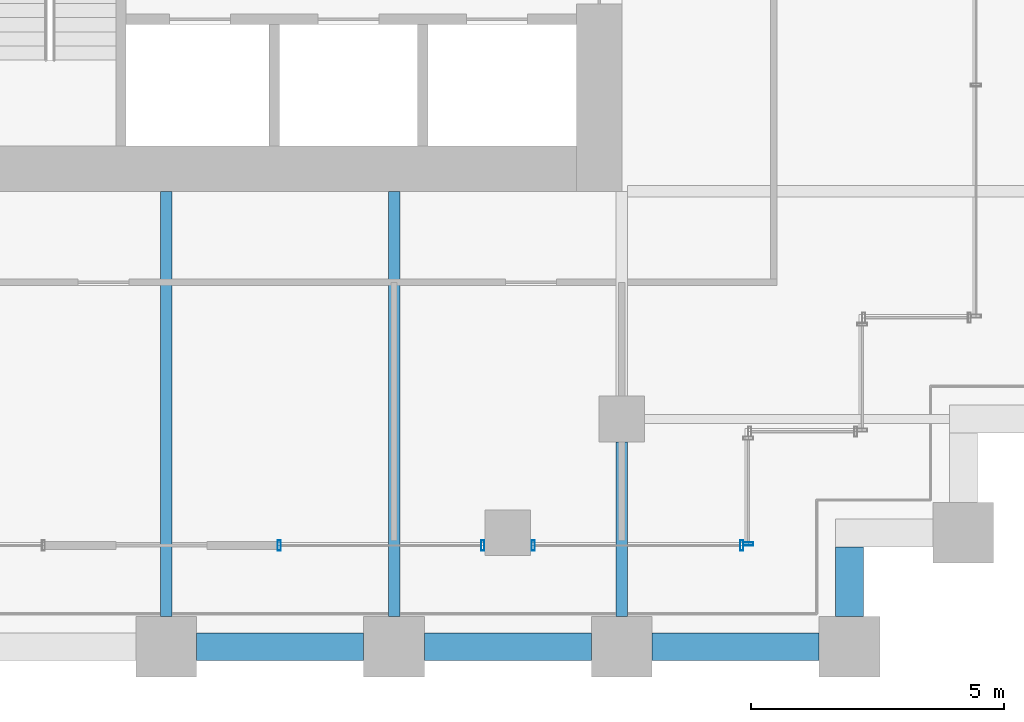
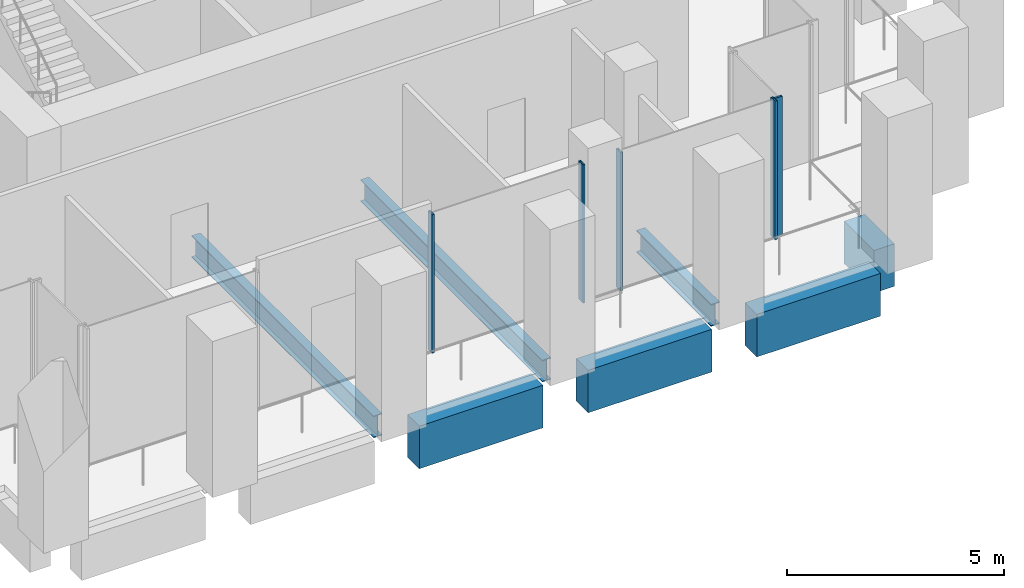
# One storey, part 21 of 36: 7 beams, 5 members, 3 elements without a shape of their own.
"""IFC4 building model written with IfcOpenShell, lengths in metres."""

from ifc_helpers import new_model, si_unit, direction, frame, origin, origin_2d, place, context, subcontext, project, spatial, rectangle, hollow_rectangle, i_section, extrude, material, material_profile, profile_set, type_object, element, aggregate, save


model = new_model("IFC4")

# Units and contexts
model_context = context("Model", 3, precision=1e-05, world=origin(), true_north=direction((0.0, 1.0)))
body_context = subcontext(model_context, "Body", "Model", "MODEL_VIEW")
ifc_project = project(units=[si_unit("LENGTHUNIT", "METRE"), si_unit("AREAUNIT", "SQUARE_METRE"), si_unit("VOLUMEUNIT", "CUBIC_METRE"), si_unit("PLANEANGLEUNIT", "RADIAN"), si_unit("MASSUNIT", "GRAM", prefix="KILO")], contexts=[model_context])

# Site, building, storey
site_placement = place(None, origin())
site = spatial("IfcSite", under=ifc_project, at=site_placement, CompositionType="ELEMENT")
building_placement = place(site_placement, origin())
building = spatial("IfcBuilding", under=site, at=building_placement, Name="Altepetl Exchange Towers", CompositionType="ELEMENT")
storey_placement = place(building_placement, frame((0.0, 0.0, 29.800048828125)))
storey = spatial("IfcBuildingStorey", under=building, at=storey_placement, Name="L06", CompositionType="ELEMENT", Elevation=29.800048828125)

# Beams
ifc_material_1 = material(Name="Steel S355", Category="steel")
ifc_material_profile_1 = material_profile(ifc_material_1, i_section(OverallWidth=0.22900390625, OverallDepth=0.612060546875, WebThickness=0.011962890625, FlangeThickness=0.01953125, at=origin_2d()), Name="W24X84")
ifc_profile_set_1 = profile_set([ifc_material_profile_1], Name="Steel S355")
beam_type_1 = type_object("IfcBeamType", Name="Floor beam W24X84", PredefinedType="BEAM", material=ifc_profile_set_1)
for number, where, z_axis, x_axis, name in (
    (1, (108.0, 27.60009765625, -0.48095703125), (0.0, 1.0, 0.0), (-1.0, 0.0, 0.0), "bm:B:L06:010"),
    (2, (112.5, 27.60009765625, -0.48095703125), (0.0, 1.0, 0.0), (-1.0, 0.0, 0.0), "bm:B:L06:011"),
):
    element("IfcBeam", number, at=place(storey_placement, frame(where, z_axis=z_axis, x_axis=x_axis)), inside=storey, type_object=beam_type_1, Name=name, PredefinedType="BEAM", context=body_context, shape_type="SweptSolid", body=[
        extrude(i_section(OverallWidth=0.22900390625, OverallDepth=0.612060546875, WebThickness=0.011962890625, FlangeThickness=0.01953125, at=origin_2d()), origin(), (0.0, 0.0, 1.0), 8.39990234375),
    ])
ifc_material_profile_2 = material_profile(ifc_material_1, i_section(OverallWidth=0.22900390625, OverallDepth=0.623046875, WebThickness=0.013916015625, FlangeThickness=0.02490234375, at=origin_2d()), Name="W24X103")
ifc_profile_set_2 = profile_set([ifc_material_profile_2], Name="Steel S355")
beam_type_2 = type_object("IfcBeamType", Name="Girder W24X103", PredefinedType="BEAM", material=ifc_profile_set_2)
beam_1_placement = place(storey_placement, frame((117.0, 31.050048828125, -0.486572265625), z_axis=(0.0, -1.0, 0.0), x_axis=(1.0, 0.0, 0.0)))
element("IfcBeam", 3, at=beam_1_placement, inside=storey, type_object=beam_type_2, Name="gd:B:L06:005", PredefinedType="BEAM", context=body_context, shape_type="SweptSolid", body=[
    extrude(i_section(OverallWidth=0.22900390625, OverallDepth=0.623046875, WebThickness=0.013916015625, FlangeThickness=0.02490234375, at=origin_2d()), origin(), (0.0, 0.0, 1.0), 3.449951171875),
])

# Curtain wall, members
ifc_material_2 = material(Name="Aluminium 6063-T6 glazing", Category="aluminium")
curtain_wall_type = type_object("IfcCurtainWallType", Name="Trading floor glazing system", PredefinedType="NOTDEFINED", material=ifc_material_2)
curtain_wall_1_placement = place(storey_placement, origin())
curtain_wall_1 = element("IfcCurtainWall", 4, at=curtain_wall_1_placement, inside=storey, type_object=curtain_wall_type, Name="CW2 run", PredefinedType="NOTDEFINED")
ifc_material_3 = material(Name="Aluminium 6063-T6", Category="aluminium")
ifc_material_profile_3 = material_profile(ifc_material_3, hollow_rectangle(XDim=0.06005859375, YDim=0.199951171875, WallThickness=0.0029296875, at=origin_2d()), Name="Mullion 60x200 aluminium")
ifc_profile_set_3 = profile_set([ifc_material_profile_3], Name="Aluminium 6063-T6")
member_type = type_object("IfcMemberType", Name="Mullion 60x200 aluminium", PredefinedType="MULLION", material=ifc_profile_set_3)
member_1_placement = place(storey_placement, frame((110.22998046875, 29.0, 0.0)))
member_1 = element("IfcMember", 5, at=member_1_placement, type_object=member_type, Name="MU2 mullion", PredefinedType="MULLION", context=body_context, shape_type="SweptSolid", body=[
    extrude(hollow_rectangle(XDim=0.06005859375, YDim=0.199951171875, WallThickness=0.0029296875, at=origin_2d()), origin(), (0.0, 0.0, 1.0), 3.89990234375),
])
member_2_placement = place(storey_placement, frame((114.25, 29.0, 0.0)))
member_2 = element("IfcMember", 6, at=member_2_placement, type_object=member_type, Name="MU2 mullion", PredefinedType="MULLION", context=body_context, shape_type="SweptSolid", body=[
    extrude(hollow_rectangle(XDim=0.06005859375, YDim=0.199951171875, WallThickness=0.0029296875, at=origin_2d()), origin(), (0.0, 0.0, 1.0), 3.89990234375),
])
aggregate(curtain_wall_1, [member_1, member_2])

curtain_wall_2_placement = place(storey_placement, origin())
curtain_wall_2 = element("IfcCurtainWall", 7, at=curtain_wall_2_placement, inside=storey, type_object=curtain_wall_type, Name="CW2 run", PredefinedType="NOTDEFINED")
member_3_placement = place(storey_placement, frame((115.25, 29.0, 0.0)))
member_3 = element("IfcMember", 8, at=member_3_placement, type_object=member_type, Name="MU2 mullion", PredefinedType="MULLION", context=body_context, shape_type="SweptSolid", body=[
    extrude(hollow_rectangle(XDim=0.06005859375, YDim=0.199951171875, WallThickness=0.0029296875, at=origin_2d()), origin(), (0.0, 0.0, 1.0), 3.89990234375),
])
member_4_placement = place(storey_placement, frame((119.3701171875, 29.0, 0.0)))
member_4 = element("IfcMember", 9, at=member_4_placement, type_object=member_type, Name="MU2 mullion", PredefinedType="MULLION", context=body_context, shape_type="SweptSolid", body=[
    extrude(hollow_rectangle(XDim=0.06005859375, YDim=0.199951171875, WallThickness=0.0029296875, at=origin_2d()), origin(), (0.0, 0.0, 1.0), 3.89990234375),
])
aggregate(curtain_wall_2, [member_3, member_4])

# Curtain wall, member
curtain_wall_3_placement = place(storey_placement, origin())
curtain_wall_3 = element("IfcCurtainWall", 10, at=curtain_wall_3_placement, inside=storey, type_object=curtain_wall_type, Name="CW2 run", PredefinedType="NOTDEFINED")
member_5_placement = place(storey_placement, frame((119.5, 29.030029296875, 0.0), z_axis=(0.0, 0.0, 1.0), x_axis=(0.0, 1.0, 0.0)))
member_5 = element("IfcMember", 11, at=member_5_placement, type_object=member_type, Name="MU2 mullion", PredefinedType="MULLION", context=body_context, shape_type="SweptSolid", body=[
    extrude(hollow_rectangle(XDim=0.06005859375, YDim=0.199951171875, WallThickness=0.0029296875, at=origin_2d()), origin(), (0.0, 0.0, 1.0), 3.89990234375),
])
aggregate(curtain_wall_3, [member_5])

# Beams
ifc_material_4 = material(Name="Concrete C50/60 precast with cantera blanca facing", Category="concrete")
ifc_material_profile_4 = material_profile(ifc_material_4, rectangle(XDim=0.550048828125, YDim=1.199951171875, at=origin_2d()), Name="550 x 1200")
ifc_profile_set_4 = profile_set([ifc_material_profile_4], Name="Concrete C50/60 precast with cantera blanca facing")
beam_type_3 = type_object("IfcBeamType", Name="Spandrel beam 550x1200 cantera blanca", PredefinedType="SPANDREL", material=ifc_profile_set_4)
beam_2_placement = place(storey_placement, frame((117.60009765625, 27.0, -0.775146484375), z_axis=(1.0, 0.0, 0.0), x_axis=(0.0, 1.0, 0.0)))
element("IfcBeam", 12, at=beam_2_placement, inside=storey, type_object=beam_type_3, Name="sp:B:L06:004", PredefinedType="SPANDREL", context=body_context, shape_type="SweptSolid", body=[
    extrude(rectangle(XDim=0.550048828125, YDim=1.199951171875, at=origin_2d()), origin(), (0.0, 0.0, 1.0), 3.2998046875),
])
beam_3_placement = place(storey_placement, frame((121.5, 27.60009765625, -0.775146484375), z_axis=(0.0, 1.0, 0.0), x_axis=(-1.0, 0.0, 0.0)))
element("IfcBeam", 13, at=beam_3_placement, inside=storey, type_object=beam_type_3, Name="sp:B:L06:005", PredefinedType="SPANDREL", context=body_context, shape_type="SweptSolid", body=[
    extrude(rectangle(XDim=0.550048828125, YDim=1.199951171875, at=origin_2d()), origin(), (0.0, 0.0, 1.0), 1.375),
])
ifc_material_5 = material(Name="Concrete C50/60 precast with tezontle facing", Category="concrete")
ifc_material_profile_5 = material_profile(ifc_material_5, rectangle(XDim=0.550048828125, YDim=1.199951171875, at=origin_2d()), Name="550 x 1200")
ifc_profile_set_5 = profile_set([ifc_material_profile_5], Name="Concrete C50/60 precast with tezontle facing")
beam_type_4 = type_object("IfcBeamType", Name="Spandrel beam 550x1200 tezontle", PredefinedType="SPANDREL", material=ifc_profile_set_5)
for number, where, z_axis, x_axis, name in (
    (14, (108.60009765625, 27.0, -0.775146484375), (1.0, 0.0, 0.0), (0.0, 1.0, 0.0), "sp:B:L06:002"),
    (15, (113.10009765625, 27.0, -0.775146484375), (1.0, 0.0, 0.0), (0.0, 1.0, 0.0), "sp:B:L06:003"),
):
    element("IfcBeam", number, at=place(storey_placement, frame(where, z_axis=z_axis, x_axis=x_axis)), inside=storey, type_object=beam_type_4, Name=name, PredefinedType="SPANDREL", context=body_context, shape_type="SweptSolid", body=[
        extrude(rectangle(XDim=0.550048828125, YDim=1.199951171875, at=origin_2d()), origin(), (0.0, 0.0, 1.0), 3.2998046875),
    ])

save(model, "model.ifc")
